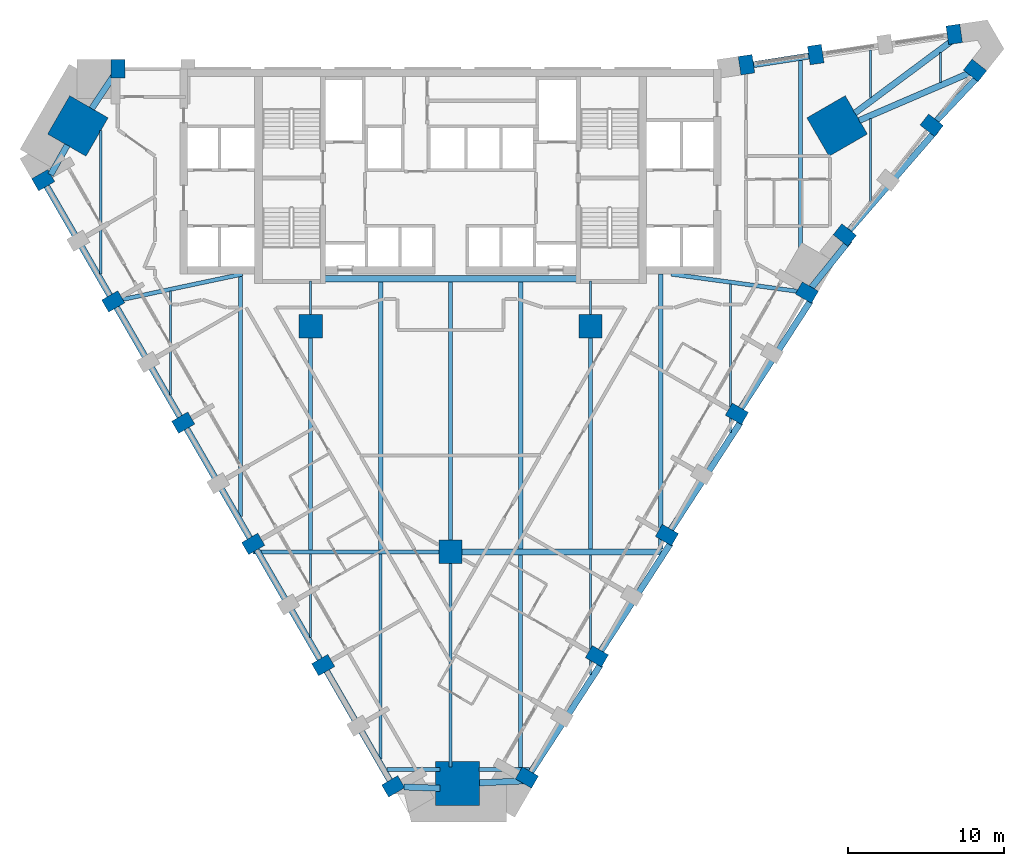
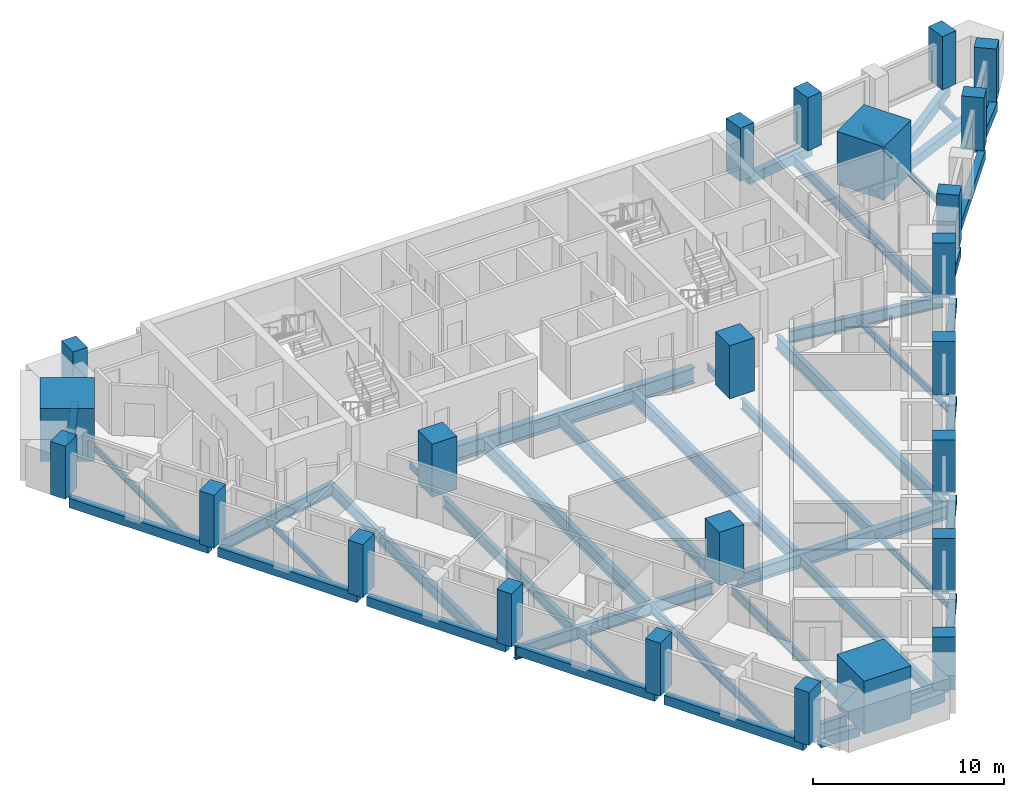
# One storey, part 1 of 11: 47 beams, 24 columns.
"""IFC4 building model written with IfcOpenShell, lengths in metres."""

import ifcopenshell
import ifcopenshell.guid

model = None  # the IFC model being written
_history = None  # IfcOwnerHistory: only IFC2X3 demands one
_inside = {}  # id of a spatial element -> (the spatial element, [elements in it])
_under = {}  # id of a project, library or spatial element -> (it, [spatial elements below it])
_declared = {}  # id of a project -> (the project, [libraries it declares])
_typed = {}  # id of a type object -> (the type object, [elements of that type])
_made_of = {}  # id of a material, layer set ... -> (it, [elements and type objects made of it])


def new_model(schema):
    """Start an empty IFC model of exactly this schema.

    Asked for "IFC4X3", IfcOpenShell would pick the latest addendum, in which some entities
    have other attributes; the version numbers below select the first issue.
    IFC2X3 requires an IfcOwnerHistory on every rooted entity: one is made here for all.
    """
    global model, _history
    if schema == "IFC4X3":
        model = ifcopenshell.file(schema_version=(4, 3, 0, 0))
    else:
        model = ifcopenshell.file(schema=schema)
    _inside.clear()
    _under.clear()
    _declared.clear()
    _typed.clear()
    _made_of.clear()
    _history = None
    if model.schema == "IFC2X3":
        org = make("IfcOrganization", Name="unknown")
        user = make(
            "IfcPersonAndOrganization",
            ThePerson=make("IfcPerson", FamilyName="unknown"),
            TheOrganization=org,
        )
        app = make(
            "IfcApplication",
            ApplicationDeveloper=org,
            Version="unknown",
            ApplicationFullName="unknown",
            ApplicationIdentifier="unknown",
        )
        _history = make(
            "IfcOwnerHistory",
            OwningUser=user,
            OwningApplication=app,
            ChangeAction="ADDED",
            CreationDate=0,
        )
    return model


def make(cls, **values):
    """One entity of the class cls with the attributes given. An attribute that is None is left unset."""
    return model.create_entity(
        cls, **{name: value for name, value in values.items() if value is not None}
    )


def rooted(cls, **values):
    """An entity with a GlobalId (a new one), such as an element, a storey or a relation."""
    return make(cls, GlobalId=ifcopenshell.guid.new(), OwnerHistory=_history, **values)


def si_unit(unit_type, name, prefix=None):
    """IfcSIUnit, for example si_unit("LENGTHUNIT", "METRE", prefix="MILLI")."""
    return make("IfcSIUnit", UnitType=unit_type, Prefix=prefix, Name=name)


def assignment(units):
    """IfcUnitAssignment: the units of a project."""
    return None if units is None else make("IfcUnitAssignment", Units=units)


def point(xyz):
    """IfcCartesianPoint."""
    return None if xyz is None else make("IfcCartesianPoint", Coordinates=xyz)


def direction(xyz):
    """IfcDirection."""
    return None if xyz is None else make("IfcDirection", DirectionRatios=xyz)


def frame(location, z_axis=None, x_axis=None):
    """IfcAxis2Placement3D, a coordinate frame: its origin and axes. An axis left out is left unset."""
    return make(
        "IfcAxis2Placement3D",
        Location=point(location),
        Axis=direction(z_axis),
        RefDirection=direction(x_axis),
    )


def frame_2d(location, x_axis=None):
    """IfcAxis2Placement2D, a coordinate frame in the plane: its origin and x axis."""
    return make(
        "IfcAxis2Placement2D", Location=point(location), RefDirection=direction(x_axis)
    )


def origin():
    """The frame at (0, 0, 0) with its axes left unset."""
    return frame((0.0, 0.0, 0.0))


def origin_2d():
    """The frame at (0, 0) in the plane with its x axis left unset."""
    return frame_2d((0.0, 0.0))


def place(relative_to, where):
    """IfcLocalPlacement: puts the frame where relative to a parent placement (None: the world)."""
    return make(
        "IfcLocalPlacement", PlacementRelTo=relative_to, RelativePlacement=where
    )


def context(
    kind, dimensions, precision=None, world=None, true_north=None, identifier=None
):
    """IfcGeometricRepresentationContext, for example the 3D "Model" context."""
    return make(
        "IfcGeometricRepresentationContext",
        ContextIdentifier=identifier,
        ContextType=kind,
        CoordinateSpaceDimension=dimensions,
        Precision=precision,
        WorldCoordinateSystem=world,
        TrueNorth=true_north,
    )


def subcontext(parent, identifier, kind, view, scale=None):
    """IfcGeometricRepresentationSubContext, for example "Body" below "Model"."""
    return make(
        "IfcGeometricRepresentationSubContext",
        ContextIdentifier=identifier,
        ContextType=kind,
        ParentContext=parent,
        TargetScale=scale,
        TargetView=view,
    )


def project(units=None, contexts=None):
    """IfcProject with its units and contexts."""
    return rooted(
        "IfcProject",
        Name="project",
        RepresentationContexts=contexts,
        UnitsInContext=assignment(units),
    )


def spatial(cls, under=None, at=None, **own):
    """A site, building, storey or space (cls), placed at a placement, below another one or the project."""
    s = rooted(cls, ObjectPlacement=at, **own)
    if under is not None:
        _under.setdefault(under.id(), (under, []))[1].append(s)
    return s


def profile(cls, at=None, kind="AREA", **sizes):
    """A parametric profile (cls). Its sizes go by their IFC names, for example OverallWidth=200.0."""
    return make(cls, ProfileType=kind, Position=at, **sizes)


def rectangle(**sizes):
    """IfcRectangleProfileDef."""
    return profile("IfcRectangleProfileDef", **sizes)


def i_section(**sizes):
    """IfcIShapeProfileDef."""
    return profile("IfcIShapeProfileDef", **sizes)


def extrude(swept, where, along, depth):
    """IfcExtrudedAreaSolid: the profile swept, set in the frame where, extruded along a direction by depth."""
    return make(
        "IfcExtrudedAreaSolid",
        SweptArea=swept,
        Position=where,
        ExtrudedDirection=direction(along),
        Depth=depth,
    )


def shape(context_of_items, identifier, shape_type, items):
    """IfcShapeRepresentation: the items that make up one representation, for example the "Body"."""
    return make(
        "IfcShapeRepresentation",
        ContextOfItems=context_of_items,
        RepresentationIdentifier=identifier,
        RepresentationType=shape_type,
        Items=items,
    )


def material(Name=None, Category=None):
    """IfcMaterial."""
    return make("IfcMaterial", Name=Name, Category=Category)


def material_profile(
    of_material, cross_section, Name=None, Category=None, Priority=None
):
    """IfcMaterialProfile: a cross section and its material."""
    return make(
        "IfcMaterialProfile",
        Name=Name,
        Material=of_material,
        Profile=cross_section,
        Priority=Priority,
        Category=Category,
    )


def profile_set(profiles, Name=None, composite=None):
    """IfcMaterialProfileSet."""
    return make(
        "IfcMaterialProfileSet",
        Name=Name,
        MaterialProfiles=profiles,
        CompositeProfile=composite,
    )


def made_of(thing, what):
    """Note that an element or type object is made of a material, layer set ...; save() writes the relation."""
    if what is not None:
        _made_of.setdefault(what.id(), (what, []))[1].append(thing)
    return thing


def type_object(cls, material=None, **own):
    """A type object (cls), such as IfcWallType, which elements share."""
    return made_of(rooted(cls, **own), material)


def element(
    cls,
    number,
    at=None,
    inside=None,
    cuts=None,
    type_object=None,
    material=None,
    context=None,
    identifier="Body",
    shape_type=None,
    held_by="IfcProductDefinitionShape",
    body=None,
    shapes=None,
    **own,
):
    """One element of the class cls, such as IfcWall. Its Tag is "e" and its number.

    at: its placement. inside: the storey or other place that contains it. cuts: it is an
    opening in that element (IfcRelVoidsElement). A single representation is given by context,
    identifier, shape_type and body (its items); several are given by shapes. held_by: the class
    of the entity that holds the representations. save() writes the other relations.
    """
    e = rooted(cls, Tag="e%d" % number, ObjectPlacement=at, **own)
    if body is not None:
        shapes = [shape(context, identifier, shape_type, body)]
    if shapes is not None:
        e.Representation = make(held_by, Representations=shapes)
    if inside is not None:
        _inside.setdefault(inside.id(), (inside, []))[1].append(e)
    if cuts is not None:
        rooted(
            "IfcRelVoidsElement", RelatingBuildingElement=cuts, RelatedOpeningElement=e
        )
    if type_object is not None:
        _typed.setdefault(type_object.id(), (type_object, []))[1].append(e)
    return made_of(e, material)


def aggregate(whole, parts):
    """IfcRelAggregates: a whole, such as a stair, and the parts it consists of."""
    return rooted("IfcRelAggregates", RelatingObject=whole, RelatedObjects=parts)


def save(model, path):
    """Write the relations noted so far, then the file.

    IfcRelAggregates (storeys below a building ...), IfcRelContainedInSpatialStructure (elements
    in a storey), IfcRelDefinesByType, IfcRelAssociatesMaterial and IfcRelDeclares: one each for
    every whole, place, type object, material and project.
    """
    for whole, parts in _under.values():
        aggregate(whole, parts)
    for where, things in _inside.values():
        rooted(
            "IfcRelContainedInSpatialStructure",
            RelatedElements=things,
            RelatingStructure=where,
        )
    for kind, things in _typed.values():
        rooted("IfcRelDefinesByType", RelatedObjects=things, RelatingType=kind)
    for what, things in _made_of.values():
        rooted("IfcRelAssociatesMaterial", RelatedObjects=things, RelatingMaterial=what)
    for by, libraries in _declared.values():
        rooted("IfcRelDeclares", RelatingContext=by, RelatedDefinitions=libraries)
    model.write(path)


model = new_model("IFC4")

# Units and contexts
model_context = context("Model", 3, precision=1e-05, world=origin(), true_north=direction((0.0, 1.0)))
body_context = subcontext(model_context, "Body", "Model", "MODEL_VIEW")
ifc_project = project(units=[si_unit("LENGTHUNIT", "METRE"), si_unit("AREAUNIT", "SQUARE_METRE"), si_unit("VOLUMEUNIT", "CUBIC_METRE"), si_unit("PLANEANGLEUNIT", "RADIAN"), si_unit("MASSUNIT", "GRAM", prefix="KILO")], contexts=[model_context])

# Site, building, storey
site_placement = place(None, origin())
site = spatial("IfcSite", under=ifc_project, at=site_placement, CompositionType="ELEMENT")
building_placement = place(site_placement, origin())
building = spatial("IfcBuilding", under=site, at=building_placement, Name="Calabash Gate Tower", CompositionType="ELEMENT")
storey_placement = place(building_placement, frame((0.0, 0.0, 122.39990234375)))
storey = spatial("IfcBuildingStorey", under=building, at=storey_placement, Name="L28", CompositionType="ELEMENT", Elevation=122.39990234375)

# Columns
ifc_material_1 = material(Name="Concrete C80/95", Category="concrete")
ifc_material_profile_1 = material_profile(ifc_material_1, rectangle(XDim=1.5, YDim=1.5, at=origin_2d()))
ifc_profile_set_1 = profile_set([ifc_material_profile_1], Name="Concrete C80/95")
column_type_1 = type_object("IfcColumnType", Name="Interior column RC 1500x1500 Concrete C80/95", PredefinedType="COLUMN", material=ifc_profile_set_1)
for number, where, z_axis, x_axis, name in (
    (1, (-9.0, 2.5, 0.0), (0.0, 0.0, 1.0), (1.0, 0.0, 0.0), "Interior column L28 I0"),
    (2, (9.0, 2.5, 0.0), (0.0, 0.0, 1.0), (1.0, 0.0, 0.0), "Interior column L28 I1"),
    (3, (0.0, -12.0, 0.0), (0.0, 0.0, 1.0), (1.0, 0.0, 0.0), "Interior column L28 I2"),
):
    element("IfcColumn", number, at=place(storey_placement, frame(where, z_axis=z_axis, x_axis=x_axis)), inside=storey, type_object=column_type_1, Name=name, PredefinedType="COLUMN", context=body_context, shape_type="SweptSolid", body=[
        extrude(rectangle(XDim=1.5, YDim=1.5, at=origin_2d()), origin(), (0.0, 0.0, 1.0), 3.400146484375),
    ])
ifc_material_2 = material(Name="Concrete C80/95", Category="concrete")
ifc_material_profile_2 = material_profile(ifc_material_2, rectangle(XDim=2.85009765625, YDim=2.85009765625, at=origin_2d()))
ifc_profile_set_2 = profile_set([ifc_material_profile_2], Name="Concrete C80/95")
column_type_2 = type_object("IfcColumnType", Name="Mega column RC 2850x2850 Concrete C80/95", PredefinedType="COLUMN", material=ifc_profile_set_2)
for number, where, z_axis, x_axis, name in (
    (4, (-23.962890625, 15.382080078125, 0.0), (0.0, 0.0, 1.0), (0.866025403784, -0.5, 0.0), "Mega column L28 NW"),
    (5, (24.85205078125, 15.382080078125, 0.0), (0.0, 0.0, 1.0), (-0.866025403784, -0.5, 0.0), "Mega column L28 NE"),
    (6, (0.447021484375, -26.89306640625, 0.0), (0.0, 0.0, 1.0), (0.0, 1.0, 0.0), "Mega column L28 S"),
):
    element("IfcColumn", number, at=place(storey_placement, frame(where, z_axis=z_axis, x_axis=x_axis)), inside=storey, type_object=column_type_2, Name=name, PredefinedType="COLUMN", context=body_context, shape_type="SweptSolid", body=[
        extrude(rectangle(XDim=2.85009765625, YDim=2.85009765625, at=origin_2d()), origin(), (0.0, 0.0, 1.0), 3.400146484375),
    ])
ifc_material_3 = material(Name="Concrete C70/85", Category="concrete")
ifc_material_profile_3 = material_profile(ifc_material_3, rectangle(XDim=0.89990234375, YDim=1.199951171875, at=origin_2d()))
ifc_profile_set_3 = profile_set([ifc_material_profile_3], Name="Concrete C70/85")
column_type_3 = type_object("IfcColumnType", Name="Perimeter column RC 900x1200 Concrete C70/85", PredefinedType="COLUMN", material=ifc_profile_set_3)
for number, where, z_axis, x_axis, name in (
    (7, (-26.18798828125, 11.89404296875, 0.0), (0.0, 0.0, 1.0), (0.5, -0.866025403784, 0.0), "Perimeter column L28 P20"),
    (8, (-21.68798828125, 4.10009765625, 0.0), (0.0, 0.0, 1.0), (0.5, -0.866025403784, 0.0), "Perimeter column L28 P00"),
    (9, (-17.18798828125, -3.694091796875, 0.0), (0.0, 0.0, 1.0), (0.5, -0.866025403784, 0.0), "Perimeter column L28 P01"),
    (10, (-12.68798828125, -11.488037109375, 0.0), (0.0, 0.0, 1.0), (0.5, -0.866025403784, 0.0), "Perimeter column L28 P02"),
    (11, (-8.18798828125, -19.281982421875, 0.0), (0.0, 0.0, 1.0), (0.5, -0.866025403784, 0.0), "Perimeter column L28 P03"),
    (12, (-3.68798828125, -27.076904296875, 0.0), (0.0, 0.0, 1.0), (0.5, -0.866025403784, 0.0), "Perimeter column L28 P05"),
    (13, (4.906982421875, -26.506103515625, 0.0), (0.0, 0.0, 1.0), (0.5, 0.866025403784, 0.0), "Perimeter column L28 P08"),
    (14, (9.406982421875, -18.7119140625, 0.0), (0.0, 0.0, 1.0), (0.5, 0.866025403784, 0.0), "Perimeter column L28 P09"),
    (15, (13.906982421875, -10.91796875, 0.0), (0.0, 0.0, 1.0), (0.5, 0.866025403784, 0.0), "Perimeter column L28 P10"),
    (16, (18.406982421875, -3.1240234375, 0.0), (0.0, 0.0, 1.0), (0.5, 0.866025403784, 0.0), "Perimeter column L28 P11"),
    (17, (22.906982421875, 4.6708984375, 0.0), (0.0, 0.0, 1.0), (0.5, 0.866025403784, 0.0), "Perimeter column L28 P12"),
    (18, (25.345947265625, 8.366943359375, 0.0), (0.0, 0.0, 1.0), (0.620301172202, 0.784363726701, 0.0), "Perimeter column L28 P13"),
    (19, (30.928955078125, 15.424072265625, 0.0), (0.0, 0.0, 1.0), (0.620301172202, 0.784363726701, 0.0), "Perimeter column L28 P21"),
    (20, (33.719970703125, 18.9541015625, 0.0), (0.0, 0.0, 1.0), (0.620301172202, 0.784363726701, 0.0), "Perimeter column L28 P22"),
    (21, (32.3798828125, 21.27587890625, 0.0), (0.0, 0.0, 1.0), (-0.989429504293, -0.145014675236, 0.0), "Perimeter column L28 P23"),
    (22, (23.47705078125, 19.970947265625, 0.0), (0.0, 0.0, 1.0), (-0.989429504293, -0.145014675236, 0.0), "Perimeter column L28 P16"),
    (23, (19.02294921875, 19.318115234375, 0.0), (0.0, 0.0, 1.0), (-0.989429504293, -0.145014675236, 0.0), "Perimeter column L28 P24"),
    (24, (-21.39697265625, 19.052978515625, 0.0), (0.0, 0.0, 1.0), (-1.0, 0.0, 0.0), "Perimeter column L28 P17"),
):
    element("IfcColumn", number, at=place(storey_placement, frame(where, z_axis=z_axis, x_axis=x_axis)), inside=storey, type_object=column_type_3, Name=name, PredefinedType="COLUMN", context=body_context, shape_type="SweptSolid", body=[
        extrude(rectangle(XDim=0.89990234375, YDim=1.199951171875, at=origin_2d()), origin(), (0.0, 0.0, 1.0), 3.400146484375),
    ])

# Beams
ifc_material_4 = material(Name="Concrete C60/75", Category="concrete")
ifc_material_profile_4 = material_profile(ifc_material_4, rectangle(XDim=0.39990234375, YDim=0.60009765625, at=origin_2d()))
ifc_profile_set_4 = profile_set([ifc_material_profile_4], Name="Concrete C60/75")
beam_type_1 = type_object("IfcBeamType", Name="Edge beam RC 400x600 Concrete C60/75", PredefinedType="BEAM", material=ifc_profile_set_4)
beam_1_placement = place(storey_placement, frame((-16.969970703125, -4.072021484375, -0.469970703125), z_axis=(0.500003371769, -0.866023457084, 0.0), x_axis=(0.866023457084, 0.500003371769, 0.0)))
element("IfcBeam", 25, at=beam_1_placement, inside=storey, type_object=beam_type_1, Name="Edge beam L28 1", PredefinedType="BEAM", context=body_context, shape_type="SweptSolid", body=[
    extrude(rectangle(XDim=0.39990234375, YDim=0.60009765625, at=origin_2d()), origin(), (0.0, 0.0, 1.0), 8.42578125),
])
for number, where, z_axis, x_axis, name in (
    (26, (-12.469970703125, -11.865966796875, -0.469970703125), (0.499990825162, -0.866030700815, 0.0), (0.866030700815, 0.499990825162, 0.0), "Edge beam L28 2"),
    (27, (-7.969970703125, -19.659912109375, -0.469970703125), (0.499990825162, -0.866030700815, 0.0), (0.866030700815, 0.499990825162, 0.0), "Edge beam L28 3"),
):
    element("IfcBeam", number, at=place(storey_placement, frame(where, z_axis=z_axis, x_axis=x_axis)), inside=storey, type_object=beam_type_1, Name=name, PredefinedType="BEAM", context=body_context, shape_type="SweptSolid", body=[
        extrude(rectangle(XDim=0.39990234375, YDim=0.60009765625, at=origin_2d()), origin(), (0.0, 0.0, 1.0), 8.426025390625),
    ])
beam_2_placement = place(storey_placement, frame((-2.992919921875, -27.113037109375, -0.469970703125), z_axis=(0.999279436939, -0.037955327843, 0.0), x_axis=(0.037955327843, 0.999279436939, 0.0)))
element("IfcBeam", 28, at=beam_2_placement, inside=storey, type_object=beam_type_1, Name="Edge beam L28 4", PredefinedType="BEAM", context=body_context, shape_type="SweptSolid", body=[
    extrude(rectangle(XDim=0.39990234375, YDim=0.60009765625, at=origin_2d()), origin(), (0.0, 0.0, 1.0), 2.315673828125),
])
beam_3_placement = place(storey_placement, frame((1.85107421875, -26.85107421875, -0.469970703125), z_axis=(0.999046805248, 0.043651814669, 0.0), x_axis=(-0.043651814669, 0.999046805248, 0.0)))
element("IfcBeam", 29, at=beam_3_placement, inside=storey, type_object=beam_type_1, Name="Edge beam L28 5", PredefinedType="BEAM", context=body_context, shape_type="SweptSolid", body=[
    extrude(rectangle(XDim=0.39990234375, YDim=0.60009765625, at=origin_2d()), origin(), (0.0, 0.0, 1.0), 2.863525390625),
])
for number, where, z_axis, x_axis, name in (
    (30, (5.1669921875, -26.153076171875, -0.469970703125), (0.543559539771, 0.83937061345, 0.0), (-0.83937061345, 0.543559539771, 0.0), "Edge beam L28 6"),
    (31, (9.6669921875, -18.361083984375, -0.469970703125), (0.543559539771, 0.83937061345, 0.0), (-0.83937061345, 0.543559539771, 0.0), "Edge beam L28 7"),
):
    element("IfcBeam", number, at=place(storey_placement, frame(where, z_axis=z_axis, x_axis=x_axis)), inside=storey, type_object=beam_type_1, Name=name, PredefinedType="BEAM", context=body_context, shape_type="SweptSolid", body=[
        extrude(rectangle(XDim=0.39990234375, YDim=0.60009765625, at=origin_2d()), origin(), (0.0, 0.0, 1.0), 8.208740234375),
    ])
for number, where, z_axis, x_axis, name in (
    (32, (14.1669921875, -10.56591796875, -0.469970703125), (0.543627394435, 0.839326668241, 0.0), (-0.839326668241, 0.543627394435, 0.0), "Edge beam L28 8"),
    (33, (18.6669921875, -2.77197265625, -0.469970703125), (0.543627394435, 0.839326668241, 0.0), (-0.839326668241, 0.543627394435, 0.0), "Edge beam L28 9"),
):
    element("IfcBeam", number, at=place(storey_placement, frame(where, z_axis=z_axis, x_axis=x_axis)), inside=storey, type_object=beam_type_1, Name=name, PredefinedType="BEAM", context=body_context, shape_type="SweptSolid", body=[
        extrude(rectangle(XDim=0.39990234375, YDim=0.60009765625, at=origin_2d()), origin(), (0.0, 0.0, 1.0), 8.207763671875),
    ])
beam_4_placement = place(storey_placement, frame((23.2041015625, 5.0, -0.469970703125), z_axis=(0.627060232995, 0.778970772363, 0.0), x_axis=(-0.778970772363, 0.627060232995, 0.0)))
element("IfcBeam", 34, at=beam_4_placement, inside=storey, type_object=beam_type_1, Name="Edge beam L28 10", PredefinedType="BEAM", context=body_context, shape_type="SweptSolid", body=[
    extrude(rectangle(XDim=0.39990234375, YDim=0.60009765625, at=origin_2d()), origin(), (0.0, 0.0, 1.0), 3.91015625),
])
beam_5_placement = place(storey_placement, frame((25.637939453125, 8.66796875, -0.469970703125), z_axis=(0.655090472219, 0.755550443854, 0.0), x_axis=(-0.755550443854, 0.655090472219, 0.0)))
element("IfcBeam", 35, at=beam_5_placement, inside=storey, type_object=beam_type_1, Name="Edge beam L28 11", PredefinedType="BEAM", context=body_context, shape_type="SweptSolid", body=[
    extrude(rectangle(XDim=0.39990234375, YDim=0.60009765625, at=origin_2d()), origin(), (0.0, 0.0, 1.0), 8.542236328125),
])
beam_6_placement = place(storey_placement, frame((31.241943359375, 15.72412109375, -0.469970703125), z_axis=(0.685941332038, 0.727656848385, 0.0), x_axis=(-0.727656848385, 0.685941332038, 0.0)))
element("IfcBeam", 36, at=beam_6_placement, inside=storey, type_object=beam_type_1, Name="Edge beam L28 12", PredefinedType="BEAM", context=body_context, shape_type="SweptSolid", body=[
    extrude(rectangle(XDim=0.39990234375, YDim=0.60009765625, at=origin_2d()), origin(), (0.0, 0.0, 1.0), 4.026611328125),
])
beam_7_placement = place(storey_placement, frame((33.676025390625, 18.922119140625, -0.469970703125), z_axis=(-0.918385716092, -0.395686335977, 0.0), x_axis=(0.395686335977, -0.918385716092, 0.0)))
element("IfcBeam", 37, at=beam_7_placement, inside=storey, type_object=beam_type_1, Name="Edge beam L28 13", PredefinedType="BEAM", context=body_context, shape_type="SweptSolid", body=[
    extrude(rectangle(XDim=0.39990234375, YDim=0.60009765625, at=origin_2d()), origin(), (0.0, 0.0, 1.0), 8.0673828125),
])
beam_8_placement = place(storey_placement, frame((25.990966796875, 16.208984375, -0.469970703125), z_axis=(0.802179537522, 0.597082900091, 0.0), x_axis=(-0.597082900091, 0.802179537522, 0.0)))
element("IfcBeam", 38, at=beam_8_placement, inside=storey, type_object=beam_type_1, Name="Edge beam L28 14", PredefinedType="BEAM", context=body_context, shape_type="SweptSolid", body=[
    extrude(rectangle(XDim=0.39990234375, YDim=0.60009765625, at=origin_2d()), origin(), (0.0, 0.0, 1.0), 8.206298828125),
])
beam_9_placement = place(storey_placement, frame((23.638916015625, 19.968017578125, -0.469970703125), z_axis=(-0.988243286104, -0.152889527011, 0.0), x_axis=(0.152889527011, -0.988243286104, 0.0)))
element("IfcBeam", 39, at=beam_9_placement, inside=storey, type_object=beam_type_1, Name="Edge beam L28 16", PredefinedType="BEAM", context=body_context, shape_type="SweptSolid", body=[
    extrude(rectangle(XDim=0.39990234375, YDim=0.60009765625, at=origin_2d()), origin(), (0.0, 0.0, 1.0), 4.231689453125),
])
beam_10_placement = place(storey_placement, frame((-21.462890625, 18.9208984375, -0.469970703125), z_axis=(-0.552202083819, -0.833710296581, 0.0), x_axis=(0.833710296581, -0.552202083819, 0.0)))
element("IfcBeam", 40, at=beam_10_placement, inside=storey, type_object=beam_type_1, Name="Edge beam L28 17", PredefinedType="BEAM", context=body_context, shape_type="SweptSolid", body=[
    extrude(rectangle(XDim=0.39990234375, YDim=0.60009765625, at=origin_2d()), origin(), (0.0, 0.0, 1.0), 2.912353515625),
])
beam_11_placement = place(storey_placement, frame((-24.64306640625, 14.14990234375, -0.469970703125), z_axis=(-0.489610543482, -0.871941234093, 0.0), x_axis=(0.871941234093, -0.489610543482, 0.0)))
element("IfcBeam", 41, at=beam_11_placement, inside=storey, type_object=beam_type_1, Name="Edge beam L28 18", PredefinedType="BEAM", context=body_context, shape_type="SweptSolid", body=[
    extrude(rectangle(XDim=0.39990234375, YDim=0.60009765625, at=origin_2d()), origin(), (0.0, 0.0, 1.0), 2.191650390625),
])
beam_12_placement = place(storey_placement, frame((-25.969970703125, 11.51708984375, -0.469970703125), z_axis=(0.499990825162, -0.866030700815, 0.0), x_axis=(0.866030700815, 0.499990825162, 0.0)))
element("IfcBeam", 42, at=beam_12_placement, inside=storey, type_object=beam_type_1, Name="Edge beam L28 19", PredefinedType="BEAM", context=body_context, shape_type="SweptSolid", body=[
    extrude(rectangle(XDim=0.39990234375, YDim=0.60009765625, at=origin_2d()), origin(), (0.0, 0.0, 1.0), 8.426025390625),
])
beam_13_placement = place(storey_placement, frame((-21.469970703125, 3.721923828125, -0.469970703125), z_axis=(0.500103763521, -0.865965487599, 0.0), x_axis=(0.865965487599, 0.500103763521, 0.0)))
element("IfcBeam", 43, at=beam_13_placement, inside=storey, type_object=beam_type_1, Name="Edge beam L28 20", PredefinedType="BEAM", context=body_context, shape_type="SweptSolid", body=[
    extrude(rectangle(XDim=0.39990234375, YDim=0.60009765625, at=origin_2d()), origin(), (0.0, 0.0, 1.0), 8.424072265625),
])
ifc_material_5 = material(Name="Steel ASTM A992 Gr50", Category="steel")
ifc_material_profile_5 = material_profile(ifc_material_5, i_section(OverallWidth=0.1396484375, OverallDepth=0.398681640625, WebThickness=0.00634765625, FlangeThickness=0.0087890625, FilletRadius=0.01025390625, at=origin_2d()))
ifc_profile_set_5 = profile_set([ifc_material_profile_5], Name="Steel ASTM A992 Gr50")
beam_type_2 = type_object("IfcBeamType", Name="Floor beam W16x26 ASTM A992 Gr50", PredefinedType="BEAM", material=ifc_profile_set_5)
beam_14_placement = place(storey_placement, frame((-18.0, -1.919921875, -0.368896484375), z_axis=(0.0, 1.0, 0.0), x_axis=(-1.0, 0.0, 0.0)))
element("IfcBeam", 44, at=beam_14_placement, inside=storey, type_object=beam_type_2, Name="Floor beam L28 2", PredefinedType="BEAM", context=body_context, shape_type="SweptSolid", body=[
    extrude(i_section(OverallWidth=0.1396484375, OverallDepth=0.398681640625, WebThickness=0.00634765625, FlangeThickness=0.0087890625, FilletRadius=0.01025390625, at=origin_2d()), origin(), (0.0, 0.0, 1.0), 6.697021484375),
])
beam_15_placement = place(storey_placement, frame((-9.0, -17.508056640625, -0.368896484375), z_axis=(0.0, 1.0, 0.0), x_axis=(-1.0, 0.0, 0.0)))
element("IfcBeam", 45, at=beam_15_placement, inside=storey, type_object=beam_type_2, Name="Floor beam L28 4", PredefinedType="BEAM", context=body_context, shape_type="SweptSolid", body=[
    extrude(i_section(OverallWidth=0.1396484375, OverallDepth=0.398681640625, WebThickness=0.00634765625, FlangeThickness=0.0087890625, FilletRadius=0.01025390625, at=origin_2d()), origin(), (0.0, 0.0, 1.0), 5.375),
])
beam_16_placement = place(storey_placement, frame((-9.0, 3.25, -0.368896484375), z_axis=(0.0, 1.0, 0.0), x_axis=(-1.0, 0.0, 0.0)))
element("IfcBeam", 46, at=beam_16_placement, inside=storey, type_object=beam_type_2, Name="Floor beam L28 6", PredefinedType="BEAM", context=body_context, shape_type="SweptSolid", body=[
    extrude(i_section(OverallWidth=0.1396484375, OverallDepth=0.398681640625, WebThickness=0.00634765625, FlangeThickness=0.0087890625, FilletRadius=0.01025390625, at=origin_2d()), origin(), (0.0, 0.0, 1.0), 2.153076171875),
])
beam_17_placement = place(storey_placement, frame((9.0, -19.89794921875, -0.368896484375), z_axis=(0.0, 1.0, 0.0), x_axis=(-1.0, 0.0, 0.0)))
element("IfcBeam", 47, at=beam_17_placement, inside=storey, type_object=beam_type_2, Name="Floor beam L28 13", PredefinedType="BEAM", context=body_context, shape_type="SweptSolid", body=[
    extrude(i_section(OverallWidth=0.1396484375, OverallDepth=0.398681640625, WebThickness=0.00634765625, FlangeThickness=0.0087890625, FilletRadius=0.01025390625, at=origin_2d()), origin(), (0.0, 0.0, 1.0), 7.698974609375),
])
beam_18_placement = place(storey_placement, frame((9.0, 3.25, -0.368896484375), z_axis=(0.0, 1.0, 0.0), x_axis=(-1.0, 0.0, 0.0)))
element("IfcBeam", 48, at=beam_18_placement, inside=storey, type_object=beam_type_2, Name="Floor beam L28 15", PredefinedType="BEAM", context=body_context, shape_type="SweptSolid", body=[
    extrude(i_section(OverallWidth=0.1396484375, OverallDepth=0.398681640625, WebThickness=0.00634765625, FlangeThickness=0.0087890625, FilletRadius=0.01025390625, at=origin_2d()), origin(), (0.0, 0.0, 1.0), 2.153076171875),
])
beam_19_placement = place(storey_placement, frame((27.0, 10.529052734375, -0.368896484375), z_axis=(0.0, 1.0, 0.0), x_axis=(-1.0, 0.0, 0.0)))
element("IfcBeam", 49, at=beam_19_placement, inside=storey, type_object=beam_type_2, Name="Floor beam L28 19", PredefinedType="BEAM", context=body_context, shape_type="SweptSolid", body=[
    extrude(i_section(OverallWidth=0.1396484375, OverallDepth=0.398681640625, WebThickness=0.00634765625, FlangeThickness=0.0087890625, FilletRadius=0.01025390625, at=origin_2d()), origin(), (0.0, 0.0, 1.0), 5.327880859375),
])
beam_20_placement = place(storey_placement, frame((27.0, 17.197021484375, -0.368896484375), z_axis=(0.0, 1.0, 0.0), x_axis=(-1.0, 0.0, 0.0)))
element("IfcBeam", 50, at=beam_20_placement, inside=storey, type_object=beam_type_2, Name="Floor beam L28 20", PredefinedType="BEAM", context=body_context, shape_type="SweptSolid", body=[
    extrude(i_section(OverallWidth=0.1396484375, OverallDepth=0.398681640625, WebThickness=0.00634765625, FlangeThickness=0.0087890625, FilletRadius=0.01025390625, at=origin_2d()), origin(), (0.0, 0.0, 1.0), 3.06005859375),
])
beam_21_placement = place(storey_placement, frame((31.5, 18.179931640625, -0.368896484375), z_axis=(0.0, 1.0, 0.0), x_axis=(-1.0, 0.0, 0.0)))
element("IfcBeam", 51, at=beam_21_placement, inside=storey, type_object=beam_type_2, Name="Floor beam L28 21", PredefinedType="BEAM", context=body_context, shape_type="SweptSolid", body=[
    extrude(i_section(OverallWidth=0.1396484375, OverallDepth=0.398681640625, WebThickness=0.00634765625, FlangeThickness=0.0087890625, FilletRadius=0.01025390625, at=origin_2d()), origin(), (0.0, 0.0, 1.0), 1.9130859375),
])
ifc_material_6 = material(Name="Steel ASTM A992 Gr50", Category="steel")
ifc_material_profile_6 = material_profile(ifc_material_6, i_section(OverallWidth=0.15234375, OverallDepth=0.44970703125, WebThickness=0.007568359375, FlangeThickness=0.0107421875, FilletRadius=0.01025390625, at=origin_2d()))
ifc_profile_set_6 = profile_set([ifc_material_profile_6], Name="Steel ASTM A992 Gr50")
beam_type_3 = type_object("IfcBeamType", Name="Floor beam W18x35 ASTM A992 Gr50", PredefinedType="BEAM", material=ifc_profile_set_6)
beam_22_placement = place(storey_placement, frame((-22.5, 5.8740234375, -0.392822265625), z_axis=(0.0, 1.0, 0.0), x_axis=(-1.0, 0.0, 0.0)))
element("IfcBeam", 52, at=beam_22_placement, inside=storey, type_object=beam_type_3, Name="Floor beam L28 1", PredefinedType="BEAM", context=body_context, shape_type="SweptSolid", body=[
    extrude(i_section(OverallWidth=0.15234375, OverallDepth=0.44970703125, WebThickness=0.007568359375, FlangeThickness=0.0107421875, FilletRadius=0.01025390625, at=origin_2d()), origin(), (0.0, 0.0, 1.0), 9.218017578125),
])
beam_23_placement = place(storey_placement, frame((18.0, -4.31005859375, -0.392822265625), z_axis=(0.0, 1.0, 0.0), x_axis=(-1.0, 0.0, 0.0)))
element("IfcBeam", 53, at=beam_23_placement, inside=storey, type_object=beam_type_3, Name="Floor beam L28 17", PredefinedType="BEAM", context=body_context, shape_type="SweptSolid", body=[
    extrude(i_section(OverallWidth=0.15234375, OverallDepth=0.44970703125, WebThickness=0.007568359375, FlangeThickness=0.0107421875, FilletRadius=0.01025390625, at=origin_2d()), origin(), (0.0, 0.0, 1.0), 9.537109375),
])
ifc_material_7 = material(Name="Steel ASTM A992 Gr50", Category="steel")
ifc_material_profile_7 = material_profile(ifc_material_7, i_section(OverallWidth=0.1787109375, OverallDepth=0.60205078125, WebThickness=0.010986328125, FlangeThickness=0.014892578125, FilletRadius=0.0126953125, at=origin_2d()))
ifc_profile_set_7 = profile_set([ifc_material_profile_7], Name="Steel ASTM A992 Gr50")
beam_type_4 = type_object("IfcBeamType", Name="Floor beam W24x62 ASTM A992 Gr50", PredefinedType="BEAM", material=ifc_profile_set_7)
beam_24_placement = place(storey_placement, frame((-4.5, -25.302978515625, -0.470947265625), z_axis=(0.0, 1.0, 0.0), x_axis=(-1.0, 0.0, 0.0)))
element("IfcBeam", 54, at=beam_24_placement, inside=storey, type_object=beam_type_4, Name="Floor beam L28 7", PredefinedType="BEAM", context=body_context, shape_type="SweptSolid", body=[
    extrude(i_section(OverallWidth=0.1787109375, OverallDepth=0.60205078125, WebThickness=0.010986328125, FlangeThickness=0.014892578125, FilletRadius=0.0126953125, at=origin_2d()), origin(), (0.0, 0.0, 1.0), 13.169921875),
])
beam_25_placement = place(storey_placement, frame((0.0, -25.840087890625, -0.470947265625), z_axis=(0.0, 1.0, 0.0), x_axis=(-1.0, 0.0, 0.0)))
element("IfcBeam", 55, at=beam_25_placement, inside=storey, type_object=beam_type_4, Name="Floor beam L28 9", PredefinedType="BEAM", context=body_context, shape_type="SweptSolid", body=[
    extrude(i_section(OverallWidth=0.1787109375, OverallDepth=0.60205078125, WebThickness=0.010986328125, FlangeThickness=0.014892578125, FilletRadius=0.0126953125, at=origin_2d()), origin(), (0.0, 0.0, 1.0), 13.090087890625),
])
ifc_material_8 = material(Name="Steel ASTM A992 Gr50", Category="steel")
ifc_material_profile_8 = material_profile(ifc_material_8, i_section(OverallWidth=0.25390625, OverallDepth=0.67822265625, WebThickness=0.01171875, FlangeThickness=0.016357421875, FilletRadius=0.01513671875, at=origin_2d()))
ifc_profile_set_8 = profile_set([ifc_material_profile_8], Name="Steel ASTM A992 Gr50")
beam_type_5 = type_object("IfcBeamType", Name="Floor beam W27x84 ASTM A992 Gr50", PredefinedType="BEAM", material=ifc_profile_set_8)
beam_26_placement = place(storey_placement, frame((-9.0, -11.866943359375, -0.5087890625), z_axis=(0.0, 1.0, 0.0), x_axis=(-1.0, 0.0, 0.0)))
element("IfcBeam", 56, at=beam_26_placement, inside=storey, type_object=beam_type_5, Name="Floor beam L28 5", PredefinedType="BEAM", context=body_context, shape_type="SweptSolid", body=[
    extrude(i_section(OverallWidth=0.25390625, OverallDepth=0.67822265625, WebThickness=0.01171875, FlangeThickness=0.016357421875, FilletRadius=0.01513671875, at=origin_2d()), origin(), (0.0, 0.0, 1.0), 13.616943359375),
])
beam_27_placement = place(storey_placement, frame((4.5, -25.89892578125, -0.5087890625), z_axis=(0.0, 1.0, 0.0), x_axis=(-1.0, 0.0, 0.0)))
element("IfcBeam", 57, at=beam_27_placement, inside=storey, type_object=beam_type_5, Name="Floor beam L28 11", PredefinedType="BEAM", context=body_context, shape_type="SweptSolid", body=[
    extrude(i_section(OverallWidth=0.25390625, OverallDepth=0.67822265625, WebThickness=0.01171875, FlangeThickness=0.016357421875, FilletRadius=0.01513671875, at=origin_2d()), origin(), (0.0, 0.0, 1.0), 13.699951171875),
])
beam_28_placement = place(storey_placement, frame((9.0, -11.801025390625, -0.5087890625), z_axis=(0.0, 1.0, 0.0), x_axis=(-1.0, 0.0, 0.0)))
element("IfcBeam", 58, at=beam_28_placement, inside=storey, type_object=beam_type_5, Name="Floor beam L28 14", PredefinedType="BEAM", context=body_context, shape_type="SweptSolid", body=[
    extrude(i_section(OverallWidth=0.25390625, OverallDepth=0.67822265625, WebThickness=0.01171875, FlangeThickness=0.016357421875, FilletRadius=0.01513671875, at=origin_2d()), origin(), (0.0, 0.0, 1.0), 13.551025390625),
])
beam_29_placement = place(storey_placement, frame((22.5, 4.843994140625, -0.5087890625), z_axis=(0.0, 1.0, 0.0), x_axis=(-1.0, 0.0, 0.0)))
element("IfcBeam", 59, at=beam_29_placement, inside=storey, type_object=beam_type_5, Name="Floor beam L28 18", PredefinedType="BEAM", context=body_context, shape_type="SweptSolid", body=[
    extrude(i_section(OverallWidth=0.25390625, OverallDepth=0.67822265625, WebThickness=0.01171875, FlangeThickness=0.016357421875, FilletRadius=0.01513671875, at=origin_2d()), origin(), (0.0, 0.0, 1.0), 14.77197265625),
])
ifc_material_9 = material(Name="Steel ASTM A992 Gr50", Category="steel")
ifc_material_profile_9 = material_profile(ifc_material_9, i_section(OverallWidth=0.2666015625, OverallDepth=0.7568359375, WebThickness=0.013916015625, FlangeThickness=0.019287109375, FilletRadius=0.0166015625, at=origin_2d()))
ifc_profile_set_9 = profile_set([ifc_material_profile_9], Name="Steel ASTM A992 Gr50")
beam_type_6 = type_object("IfcBeamType", Name="Floor beam W30x108 ASTM A992 Gr50", PredefinedType="BEAM", material=ifc_profile_set_9)
beam_30_placement = place(storey_placement, frame((-13.5, -9.714111328125, -0.5478515625), z_axis=(0.0, 1.0, 0.0), x_axis=(-1.0, 0.0, 0.0)))
element("IfcBeam", 60, at=beam_30_placement, inside=storey, type_object=beam_type_6, Name="Floor beam L28 3", PredefinedType="BEAM", context=body_context, shape_type="SweptSolid", body=[
    extrude(i_section(OverallWidth=0.2666015625, OverallDepth=0.7568359375, WebThickness=0.013916015625, FlangeThickness=0.019287109375, FilletRadius=0.0166015625, at=origin_2d()), origin(), (0.0, 0.0, 1.0), 15.424072265625),
])
beam_31_placement = place(storey_placement, frame((0.0, -11.25, -0.5478515625), z_axis=(0.0, 1.0, 0.0), x_axis=(-1.0, 0.0, 0.0)))
element("IfcBeam", 61, at=beam_31_placement, inside=storey, type_object=beam_type_6, Name="Floor beam L28 10", PredefinedType="BEAM", context=body_context, shape_type="SweptSolid", body=[
    extrude(i_section(OverallWidth=0.2666015625, OverallDepth=0.7568359375, WebThickness=0.013916015625, FlangeThickness=0.019287109375, FilletRadius=0.0166015625, at=origin_2d()), origin(), (0.0, 0.0, 1.0), 16.60205078125),
])
ifc_material_10 = material(Name="Steel ASTM A992 Gr50", Category="steel")
ifc_material_profile_10 = material_profile(ifc_material_10, i_section(OverallWidth=0.2919921875, OverallDepth=0.845703125, WebThickness=0.015380859375, FlangeThickness=0.0244140625, FilletRadius=0.017822265625, at=origin_2d()))
ifc_profile_set_10 = profile_set([ifc_material_profile_10], Name="Steel ASTM A992 Gr50")
beam_type_7 = type_object("IfcBeamType", Name="Floor beam W33x141 ASTM A992 Gr50", PredefinedType="BEAM", material=ifc_profile_set_10)
beam_32_placement = place(storey_placement, frame((-4.5, -11.866943359375, -0.593017578125), z_axis=(0.0, 1.0, 0.0), x_axis=(-1.0, 0.0, 0.0)))
element("IfcBeam", 62, at=beam_32_placement, inside=storey, type_object=beam_type_7, Name="Floor beam L28 8", PredefinedType="BEAM", context=body_context, shape_type="SweptSolid", body=[
    extrude(i_section(OverallWidth=0.2919921875, OverallDepth=0.845703125, WebThickness=0.015380859375, FlangeThickness=0.0244140625, FilletRadius=0.017822265625, at=origin_2d()), origin(), (0.0, 0.0, 1.0), 17.218994140625),
])
beam_33_placement = place(storey_placement, frame((4.5, -11.801025390625, -0.593017578125), z_axis=(0.0, 1.0, 0.0), x_axis=(-1.0, 0.0, 0.0)))
element("IfcBeam", 63, at=beam_33_placement, inside=storey, type_object=beam_type_7, Name="Floor beam L28 12", PredefinedType="BEAM", context=body_context, shape_type="SweptSolid", body=[
    extrude(i_section(OverallWidth=0.2919921875, OverallDepth=0.845703125, WebThickness=0.015380859375, FlangeThickness=0.0244140625, FilletRadius=0.017822265625, at=origin_2d()), origin(), (0.0, 0.0, 1.0), 17.153076171875),
])
beam_34_placement = place(storey_placement, frame((13.5, -11.823974609375, -0.593017578125), z_axis=(0.0, 1.0, 0.0), x_axis=(-1.0, 0.0, 0.0)))
element("IfcBeam", 64, at=beam_34_placement, inside=storey, type_object=beam_type_7, Name="Floor beam L28 16", PredefinedType="BEAM", context=body_context, shape_type="SweptSolid", body=[
    extrude(i_section(OverallWidth=0.2919921875, OverallDepth=0.845703125, WebThickness=0.015380859375, FlangeThickness=0.0244140625, FilletRadius=0.017822265625, at=origin_2d()), origin(), (0.0, 0.0, 1.0), 17.677001953125),
])
ifc_material_11 = material(Name="Steel ASTM A992 Gr50", Category="steel")
ifc_material_profile_11 = material_profile(ifc_material_11, i_section(OverallWidth=0.2666015625, OverallDepth=0.77978515625, WebThickness=0.0166015625, FlangeThickness=0.030029296875, FilletRadius=0.0166015625, at=origin_2d()))
ifc_profile_set_11 = profile_set([ifc_material_profile_11], Name="Steel ASTM A992 Gr50")
beam_type_8 = type_object("IfcBeamType", Name="Girder W30x148 ASTM A992 Gr50", PredefinedType="BEAM", material=ifc_profile_set_11)
beam_35_placement = place(storey_placement, frame((-21.092041015625, 4.22607421875, -0.559814453125), z_axis=(0.978296589788, 0.207209513317, 0.0), x_axis=(-0.207209513317, 0.978296589788, 0.0)))
element("IfcBeam", 65, at=beam_35_placement, inside=storey, type_object=beam_type_8, Name="Girder L28 2", PredefinedType="BEAM", context=body_context, shape_type="SweptSolid", body=[
    extrude(i_section(OverallWidth=0.2666015625, OverallDepth=0.77978515625, WebThickness=0.0166015625, FlangeThickness=0.030029296875, FilletRadius=0.0166015625, at=origin_2d()), origin(), (0.0, 0.0, 1.0), 7.880126953125),
])
beam_36_placement = place(storey_placement, frame((22.841064453125, 4.678955078125, -0.559814453125), z_axis=(-0.990879596381, 0.134750233679, 0.0), x_axis=(-0.134750233679, -0.990879596381, 0.0)))
element("IfcBeam", 66, at=beam_36_placement, inside=storey, type_object=beam_type_8, Name="Girder L28 3", PredefinedType="BEAM", context=body_context, shape_type="SweptSolid", body=[
    extrude(i_section(OverallWidth=0.2666015625, OverallDepth=0.77978515625, WebThickness=0.0166015625, FlangeThickness=0.030029296875, FilletRadius=0.0166015625, at=origin_2d()), origin(), (0.0, 0.0, 1.0), 8.734619140625),
])
beam_37_placement = place(storey_placement, frame((-12.693115234375, -12.0, -0.559814453125), z_axis=(1.0, 0.0, 0.0), x_axis=(0.0, 1.0, 0.0)))
element("IfcBeam", 67, at=beam_37_placement, inside=storey, type_object=beam_type_8, Name="Girder L28 4", PredefinedType="BEAM", context=body_context, shape_type="SweptSolid", body=[
    extrude(i_section(OverallWidth=0.2666015625, OverallDepth=0.77978515625, WebThickness=0.0166015625, FlangeThickness=0.030029296875, FilletRadius=0.0166015625, at=origin_2d()), origin(), (0.0, 0.0, 1.0), 11.943115234375),
])
beam_38_placement = place(storey_placement, frame((-4.10009765625, -26.0, -0.559814453125), z_axis=(1.0, 0.0, 0.0), x_axis=(0.0, 1.0, 0.0)))
element("IfcBeam", 68, at=beam_38_placement, inside=storey, type_object=beam_type_8, Name="Girder L28 6", PredefinedType="BEAM", context=body_context, shape_type="SweptSolid", body=[
    extrude(i_section(OverallWidth=0.2666015625, OverallDepth=0.77978515625, WebThickness=0.0166015625, FlangeThickness=0.030029296875, FilletRadius=0.0166015625, at=origin_2d()), origin(), (0.0, 0.0, 1.0), 3.412109375),
])
beam_39_placement = place(storey_placement, frame((1.841064453125, -26.0, -0.559814453125), z_axis=(1.0, 0.0, 0.0), x_axis=(0.0, 1.0, 0.0)))
element("IfcBeam", 69, at=beam_39_placement, inside=storey, type_object=beam_type_8, Name="Girder L28 7", PredefinedType="BEAM", context=body_context, shape_type="SweptSolid", body=[
    extrude(i_section(OverallWidth=0.2666015625, OverallDepth=0.77978515625, WebThickness=0.0166015625, FlangeThickness=0.030029296875, FilletRadius=0.0166015625, at=origin_2d()), origin(), (0.0, 0.0, 1.0), 3.217041015625),
])
ifc_material_12 = material(Name="Steel ASTM A992 Gr50", Category="steel")
ifc_material_profile_12 = material_profile(ifc_material_12, i_section(OverallWidth=0.398681640625, OverallDepth=0.85595703125, WebThickness=0.018310546875, FlangeThickness=0.029296875, FilletRadius=0.02001953125, at=origin_2d()))
ifc_profile_set_12 = profile_set([ifc_material_profile_12], Name="Steel ASTM A992 Gr50")
beam_type_9 = type_object("IfcBeamType", Name="Girder W33x201 ASTM A992 Gr50", PredefinedType="BEAM", material=ifc_profile_set_12)
beam_40_placement = place(storey_placement, frame((0.75, -12.0, -0.597900390625), z_axis=(1.0, 0.0, 0.0), x_axis=(0.0, 1.0, 0.0)))
element("IfcBeam", 70, at=beam_40_placement, inside=storey, type_object=beam_type_9, Name="Girder L28 5", PredefinedType="BEAM", context=body_context, shape_type="SweptSolid", body=[
    extrude(i_section(OverallWidth=0.398681640625, OverallDepth=0.85595703125, WebThickness=0.018310546875, FlangeThickness=0.029296875, FilletRadius=0.02001953125, at=origin_2d()), origin(), (0.0, 0.0, 1.0), 12.822021484375),
])
ifc_material_13 = material(Name="Steel ASTM A992 Gr50", Category="steel")
ifc_material_profile_13 = material_profile(ifc_material_13, i_section(OverallWidth=0.4013671875, OverallDepth=1.000732421875, WebThickness=0.01904296875, FlangeThickness=0.0361328125, FilletRadius=0.030029296875, at=origin_2d()))
ifc_profile_set_13 = profile_set([ifc_material_profile_13], Name="Steel ASTM A992 Gr50")
beam_type_10 = type_object("IfcBeamType", Name="Girder W40x249 ASTM A992 Gr50", PredefinedType="BEAM", material=ifc_profile_set_13)
beam_41_placement = place(storey_placement, frame((-8.25, 5.552978515625, -0.669921875), z_axis=(1.0, 0.0, 0.0), x_axis=(0.0, 1.0, 0.0)))
element("IfcBeam", 71, at=beam_41_placement, inside=storey, type_object=beam_type_10, Name="Girder L28 1", PredefinedType="BEAM", context=body_context, shape_type="SweptSolid", body=[
    extrude(i_section(OverallWidth=0.4013671875, OverallDepth=1.000732421875, WebThickness=0.01904296875, FlangeThickness=0.0361328125, FilletRadius=0.030029296875, at=origin_2d()), origin(), (0.0, 0.0, 1.0), 16.5),
])

save(model, "model.ifc")
